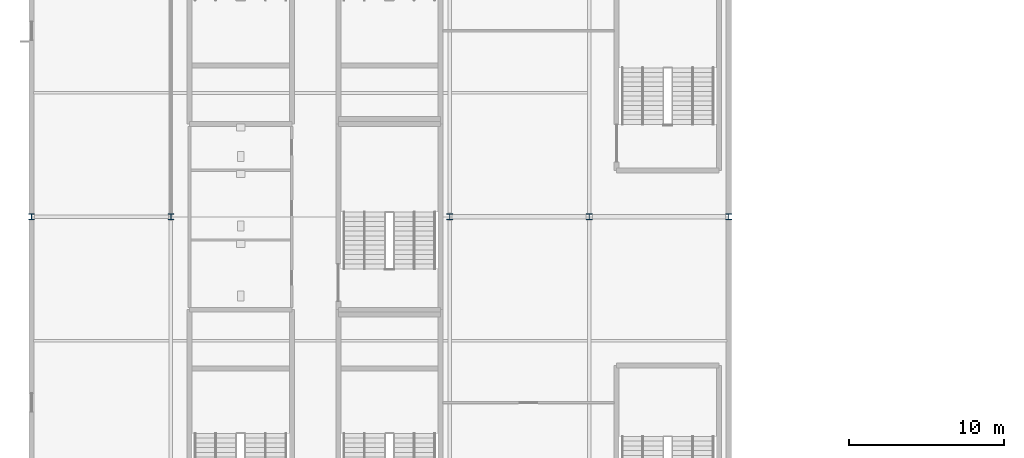
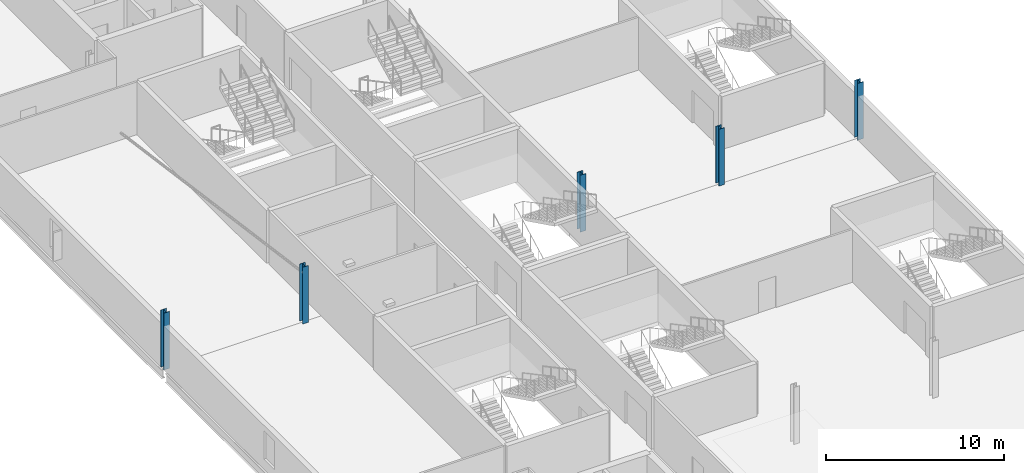
# One storey, part 3 of 98: 5 columns.
"""IFC4 building model written with IfcOpenShell, lengths in metres."""

import ifcopenshell
import ifcopenshell.guid

model = None  # the IFC model being written
_history = None  # IfcOwnerHistory: only IFC2X3 demands one
_inside = {}  # id of a spatial element -> (the spatial element, [elements in it])
_under = {}  # id of a project, library or spatial element -> (it, [spatial elements below it])
_declared = {}  # id of a project -> (the project, [libraries it declares])
_typed = {}  # id of a type object -> (the type object, [elements of that type])
_made_of = {}  # id of a material, layer set ... -> (it, [elements and type objects made of it])


def new_model(schema):
    """Start an empty IFC model of exactly this schema.

    Asked for "IFC4X3", IfcOpenShell would pick the latest addendum, in which some entities
    have other attributes; the version numbers below select the first issue.
    IFC2X3 requires an IfcOwnerHistory on every rooted entity: one is made here for all.
    """
    global model, _history
    if schema == "IFC4X3":
        model = ifcopenshell.file(schema_version=(4, 3, 0, 0))
    else:
        model = ifcopenshell.file(schema=schema)
    _inside.clear()
    _under.clear()
    _declared.clear()
    _typed.clear()
    _made_of.clear()
    _history = None
    if model.schema == "IFC2X3":
        org = make("IfcOrganization", Name="unknown")
        user = make(
            "IfcPersonAndOrganization",
            ThePerson=make("IfcPerson", FamilyName="unknown"),
            TheOrganization=org,
        )
        app = make(
            "IfcApplication",
            ApplicationDeveloper=org,
            Version="unknown",
            ApplicationFullName="unknown",
            ApplicationIdentifier="unknown",
        )
        _history = make(
            "IfcOwnerHistory",
            OwningUser=user,
            OwningApplication=app,
            ChangeAction="ADDED",
            CreationDate=0,
        )
    return model


def make(cls, **values):
    """One entity of the class cls with the attributes given. An attribute that is None is left unset."""
    return model.create_entity(
        cls, **{name: value for name, value in values.items() if value is not None}
    )


def rooted(cls, **values):
    """An entity with a GlobalId (a new one), such as an element, a storey or a relation."""
    return make(cls, GlobalId=ifcopenshell.guid.new(), OwnerHistory=_history, **values)


def si_unit(unit_type, name, prefix=None):
    """IfcSIUnit, for example si_unit("LENGTHUNIT", "METRE", prefix="MILLI")."""
    return make("IfcSIUnit", UnitType=unit_type, Prefix=prefix, Name=name)


def assignment(units):
    """IfcUnitAssignment: the units of a project."""
    return None if units is None else make("IfcUnitAssignment", Units=units)


def point(xyz):
    """IfcCartesianPoint."""
    return None if xyz is None else make("IfcCartesianPoint", Coordinates=xyz)


def direction(xyz):
    """IfcDirection."""
    return None if xyz is None else make("IfcDirection", DirectionRatios=xyz)


def frame(location, z_axis=None, x_axis=None):
    """IfcAxis2Placement3D, a coordinate frame: its origin and axes. An axis left out is left unset."""
    return make(
        "IfcAxis2Placement3D",
        Location=point(location),
        Axis=direction(z_axis),
        RefDirection=direction(x_axis),
    )


def frame_2d(location, x_axis=None):
    """IfcAxis2Placement2D, a coordinate frame in the plane: its origin and x axis."""
    return make(
        "IfcAxis2Placement2D", Location=point(location), RefDirection=direction(x_axis)
    )


def origin():
    """The frame at (0, 0, 0) with its axes left unset."""
    return frame((0.0, 0.0, 0.0))


def origin_2d():
    """The frame at (0, 0) in the plane with its x axis left unset."""
    return frame_2d((0.0, 0.0))


def place(relative_to, where):
    """IfcLocalPlacement: puts the frame where relative to a parent placement (None: the world)."""
    return make(
        "IfcLocalPlacement", PlacementRelTo=relative_to, RelativePlacement=where
    )


def context(
    kind, dimensions, precision=None, world=None, true_north=None, identifier=None
):
    """IfcGeometricRepresentationContext, for example the 3D "Model" context."""
    return make(
        "IfcGeometricRepresentationContext",
        ContextIdentifier=identifier,
        ContextType=kind,
        CoordinateSpaceDimension=dimensions,
        Precision=precision,
        WorldCoordinateSystem=world,
        TrueNorth=true_north,
    )


def subcontext(parent, identifier, kind, view, scale=None):
    """IfcGeometricRepresentationSubContext, for example "Body" below "Model"."""
    return make(
        "IfcGeometricRepresentationSubContext",
        ContextIdentifier=identifier,
        ContextType=kind,
        ParentContext=parent,
        TargetScale=scale,
        TargetView=view,
    )


def project(units=None, contexts=None):
    """IfcProject with its units and contexts."""
    return rooted(
        "IfcProject",
        Name="project",
        RepresentationContexts=contexts,
        UnitsInContext=assignment(units),
    )


def spatial(cls, under=None, at=None, **own):
    """A site, building, storey or space (cls), placed at a placement, below another one or the project."""
    s = rooted(cls, ObjectPlacement=at, **own)
    if under is not None:
        _under.setdefault(under.id(), (under, []))[1].append(s)
    return s


def profile(cls, at=None, kind="AREA", **sizes):
    """A parametric profile (cls). Its sizes go by their IFC names, for example OverallWidth=200.0."""
    return make(cls, ProfileType=kind, Position=at, **sizes)


def i_section(**sizes):
    """IfcIShapeProfileDef."""
    return profile("IfcIShapeProfileDef", **sizes)


def extrude(swept, where, along, depth):
    """IfcExtrudedAreaSolid: the profile swept, set in the frame where, extruded along a direction by depth."""
    return make(
        "IfcExtrudedAreaSolid",
        SweptArea=swept,
        Position=where,
        ExtrudedDirection=direction(along),
        Depth=depth,
    )


def shape(context_of_items, identifier, shape_type, items):
    """IfcShapeRepresentation: the items that make up one representation, for example the "Body"."""
    return make(
        "IfcShapeRepresentation",
        ContextOfItems=context_of_items,
        RepresentationIdentifier=identifier,
        RepresentationType=shape_type,
        Items=items,
    )


def material(Name=None, Category=None):
    """IfcMaterial."""
    return make("IfcMaterial", Name=Name, Category=Category)


def material_profile(
    of_material, cross_section, Name=None, Category=None, Priority=None
):
    """IfcMaterialProfile: a cross section and its material."""
    return make(
        "IfcMaterialProfile",
        Name=Name,
        Material=of_material,
        Profile=cross_section,
        Priority=Priority,
        Category=Category,
    )


def profile_set(profiles, Name=None, composite=None):
    """IfcMaterialProfileSet."""
    return make(
        "IfcMaterialProfileSet",
        Name=Name,
        MaterialProfiles=profiles,
        CompositeProfile=composite,
    )


def made_of(thing, what):
    """Note that an element or type object is made of a material, layer set ...; save() writes the relation."""
    if what is not None:
        _made_of.setdefault(what.id(), (what, []))[1].append(thing)
    return thing


def type_object(cls, material=None, **own):
    """A type object (cls), such as IfcWallType, which elements share."""
    return made_of(rooted(cls, **own), material)


def element(
    cls,
    number,
    at=None,
    inside=None,
    cuts=None,
    type_object=None,
    material=None,
    context=None,
    identifier="Body",
    shape_type=None,
    held_by="IfcProductDefinitionShape",
    body=None,
    shapes=None,
    **own,
):
    """One element of the class cls, such as IfcWall. Its Tag is "e" and its number.

    at: its placement. inside: the storey or other place that contains it. cuts: it is an
    opening in that element (IfcRelVoidsElement). A single representation is given by context,
    identifier, shape_type and body (its items); several are given by shapes. held_by: the class
    of the entity that holds the representations. save() writes the other relations.
    """
    e = rooted(cls, Tag="e%d" % number, ObjectPlacement=at, **own)
    if body is not None:
        shapes = [shape(context, identifier, shape_type, body)]
    if shapes is not None:
        e.Representation = make(held_by, Representations=shapes)
    if inside is not None:
        _inside.setdefault(inside.id(), (inside, []))[1].append(e)
    if cuts is not None:
        rooted(
            "IfcRelVoidsElement", RelatingBuildingElement=cuts, RelatedOpeningElement=e
        )
    if type_object is not None:
        _typed.setdefault(type_object.id(), (type_object, []))[1].append(e)
    return made_of(e, material)


def aggregate(whole, parts):
    """IfcRelAggregates: a whole, such as a stair, and the parts it consists of."""
    return rooted("IfcRelAggregates", RelatingObject=whole, RelatedObjects=parts)


def save(model, path):
    """Write the relations noted so far, then the file.

    IfcRelAggregates (storeys below a building ...), IfcRelContainedInSpatialStructure (elements
    in a storey), IfcRelDefinesByType, IfcRelAssociatesMaterial and IfcRelDeclares: one each for
    every whole, place, type object, material and project.
    """
    for whole, parts in _under.values():
        aggregate(whole, parts)
    for where, things in _inside.values():
        rooted(
            "IfcRelContainedInSpatialStructure",
            RelatedElements=things,
            RelatingStructure=where,
        )
    for kind, things in _typed.values():
        rooted("IfcRelDefinesByType", RelatedObjects=things, RelatingType=kind)
    for what, things in _made_of.values():
        rooted("IfcRelAssociatesMaterial", RelatedObjects=things, RelatingMaterial=what)
    for by, libraries in _declared.values():
        rooted("IfcRelDeclares", RelatingContext=by, RelatedDefinitions=libraries)
    model.write(path)


model = new_model("IFC4")

# Units and contexts
model_context = context("Model", 3, precision=1e-05, world=origin(), true_north=direction((0.0, 1.0)))
body_context = subcontext(model_context, "Body", "Model", "MODEL_VIEW")
ifc_project = project(units=[si_unit("LENGTHUNIT", "METRE"), si_unit("AREAUNIT", "SQUARE_METRE"), si_unit("VOLUMEUNIT", "CUBIC_METRE"), si_unit("PLANEANGLEUNIT", "RADIAN"), si_unit("MASSUNIT", "GRAM", prefix="KILO")], contexts=[model_context])

# Site, building, storey
site_placement = place(None, origin())
site = spatial("IfcSite", under=ifc_project, at=site_placement, CompositionType="ELEMENT")
building_placement = place(site_placement, origin())
building = spatial("IfcBuilding", under=site, at=building_placement, Name="Kisiwana Market Hall", CompositionType="ELEMENT")
storey_placement = place(building_placement, frame((0.0, 0.0, 29.39990234375)))
storey = spatial("IfcBuildingStorey", under=building, at=storey_placement, Name="L06", CompositionType="ELEMENT", Elevation=29.39990234375)

# Columns
ifc_material_1 = material(Name="Steel S355", Category="steel")
ifc_material_profile_1 = material_profile(ifc_material_1, i_section(OverallWidth=0.37060546875, OverallDepth=0.362060546875, WebThickness=0.01220703125, FlangeThickness=0.020751953125, at=origin_2d()), Name="UC 356x368x153")
ifc_profile_set_1 = profile_set([ifc_material_profile_1], Name="Steel S355")
column_type_1 = type_object("IfcColumnType", Name="COL-STL-UC153", PredefinedType="COLUMN", material=ifc_profile_set_1)
for number, where, z_axis, x_axis, name in (
    (1, (0.0, 60.0, 0.0), (0.0, 0.0, 1.0), (1.0, 0.0, 0.0), "Column H/1 (L06) C-0979"),
    (2, (45.0, 60.0, 0.0), (0.0, 0.0, 1.0), (1.0, 0.0, 0.0), "Column H/6 (L06) C-1006"),
    (3, (36.0, 60.0, 0.0), (0.0, 0.0, 1.0), (1.0, 0.0, 0.0), "Column H/5 (L06) C-0973"),
):
    element("IfcColumn", number, at=place(storey_placement, frame(where, z_axis=z_axis, x_axis=x_axis)), inside=storey, type_object=column_type_1, Name=name, PredefinedType="COLUMN", context=body_context, shape_type="SweptSolid", body=[
        extrude(i_section(OverallWidth=0.37060546875, OverallDepth=0.362060546875, WebThickness=0.01220703125, FlangeThickness=0.020751953125, at=origin_2d()), origin(), (0.0, 0.0, 1.0), 3.900146484375),
    ])
ifc_material_2 = material(Name="Steel S355", Category="steel")
ifc_material_profile_2 = material_profile(ifc_material_2, i_section(OverallWidth=0.374755859375, OverallDepth=0.37451171875, WebThickness=0.0166015625, FlangeThickness=0.027099609375, at=origin_2d()), Name="UC 356x368x202")
ifc_profile_set_2 = profile_set([ifc_material_profile_2], Name="Steel S355")
column_type_2 = type_object("IfcColumnType", Name="COL-STL-UC202", PredefinedType="COLUMN", material=ifc_profile_set_2)
for number, where, z_axis, x_axis, name in (
    (4, (27.0, 60.0, 0.0), (0.0, 0.0, 1.0), (1.0, 0.0, 0.0), "Column H/4 (L06) C-0992"),
    (5, (9.0, 60.0, 0.0), (0.0, 0.0, 1.0), (1.0, 0.0, 0.0), "Column H/2 (L06) C-0972"),
):
    element("IfcColumn", number, at=place(storey_placement, frame(where, z_axis=z_axis, x_axis=x_axis)), inside=storey, type_object=column_type_2, Name=name, PredefinedType="COLUMN", context=body_context, shape_type="SweptSolid", body=[
        extrude(i_section(OverallWidth=0.374755859375, OverallDepth=0.37451171875, WebThickness=0.0166015625, FlangeThickness=0.027099609375, at=origin_2d()), origin(), (0.0, 0.0, 1.0), 3.900146484375),
    ])

save(model, "model.ifc")
